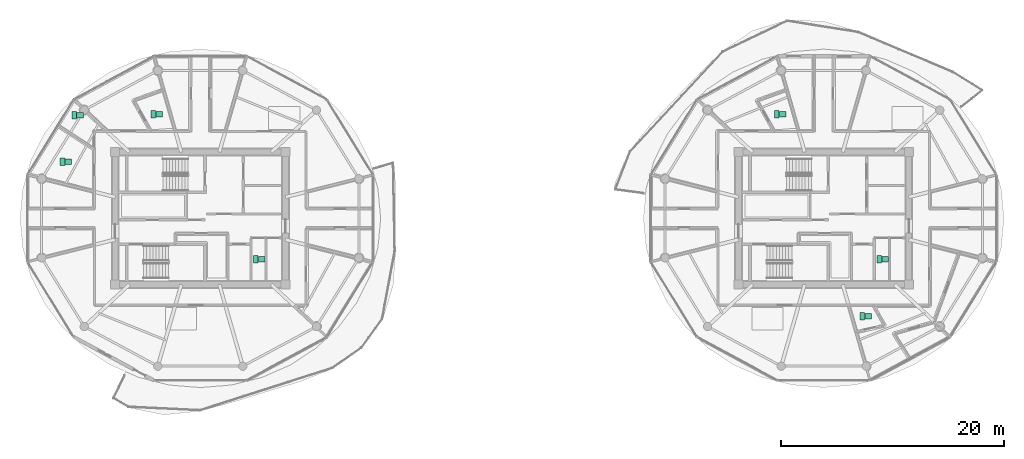
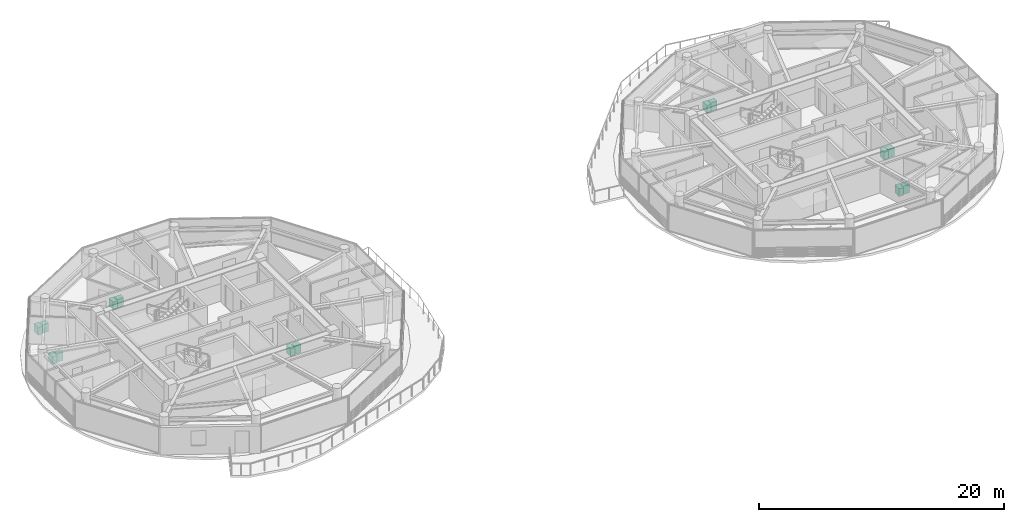
# One storey, part 21 of 21: 14 sanitary terminals.
"""IFC4 building model written with IfcOpenShell, lengths in metres."""

from ifc_helpers import new_model, si_unit, direction, frame, origin, origin_2d, place, context, subcontext, project, spatial, rectangle, extrude, source, transform, mapped, material, type_object, type_shapes, element, save


model = new_model("IFC4")

# Units and contexts
model_context = context("Model", 3, precision=1e-05, world=origin(), true_north=direction((0.0, 1.0)))
body_context = subcontext(model_context, "Body", "Model", "MODEL_VIEW")
ifc_project = project(units=[si_unit("LENGTHUNIT", "METRE"), si_unit("AREAUNIT", "SQUARE_METRE"), si_unit("VOLUMEUNIT", "CUBIC_METRE"), si_unit("PLANEANGLEUNIT", "RADIAN"), si_unit("MASSUNIT", "GRAM", prefix="KILO")], contexts=[model_context])

# Site, building, storey
site_placement = place(None, origin())
site = spatial("IfcSite", under=ifc_project, at=site_placement, CompositionType="ELEMENT")
building_placement = place(site_placement, origin())
building = spatial("IfcBuilding", under=site, at=building_placement, Name="Norrkilde Senior Care Towers", CompositionType="ELEMENT")
storey_placement = place(building_placement, frame((0.0, 0.0, 241.35009765625)))
storey = spatial("IfcBuildingStorey", under=building, at=storey_placement, Name="L75", CompositionType="ELEMENT", Elevation=241.35009765625)

# Sanitary terminals
ifc_material = material(Name="Porcelain Ceramic")
sanitary_terminal_type_1 = type_object("IfcSanitaryTerminalType", Name="Accessible Senior WC Suite", PredefinedType="TOILETPAN", material=ifc_material)
shared_shape_1 = source(origin(), body_context, "Body", "SweptSolid", [
    extrude(rectangle(XDim=0.419921875, YDim=0.679931640625, at=origin_2d()), origin(), (0.0, 0.0, 1.0), 0.780029296875),
])
type_shapes(sanitary_terminal_type_1, [shared_shape_1])
for number, where, z_axis, x_axis, name in (
    (1, (-23.010009765625, -3.675048828125, 0.0), (0.0, 0.0, 1.0), (1.0, 0.0, 0.0), "L75 Accessible WC Pan 0200"),
    (2, (-32.22021484375, 9.33984375, 0.0), (0.0, 0.0, 1.0), (1.0, 0.0, 0.0), "L75 Accessible WC Pan 0201"),
    (3, (-39.333984375, 9.268798828125, 0.0), (0.0, 0.0, 1.0), (1.0, 0.0, 0.0), "L75 Accessible WC Pan 0202"),
    (4, (-40.38671875, 5.09326171875, 0.0), (0.0, 0.0, 1.0), (1.0, 0.0, 0.0), "L75 Accessible WC Pan 0203"),
    (5, (32.989990234375, -3.675048828125, 0.0), (0.0, 0.0, 1.0), (1.0, 0.0, 0.0), "L75 Accessible WC Pan 0204"),
    (6, (23.77978515625, 9.33984375, 0.0), (0.0, 0.0, 1.0), (1.0, 0.0, 0.0), "L75 Accessible WC Pan 0205"),
    (7, (31.4619140625, -8.79931640625, 0.0), (0.0, 0.0, 1.0), (1.0, 0.0, 0.0), "L75 Accessible WC Pan 0206"),
):
    element("IfcSanitaryTerminal", number, at=place(storey_placement, frame(where, z_axis=z_axis, x_axis=x_axis)), inside=storey, type_object=sanitary_terminal_type_1, Name=name, PredefinedType="TOILETPAN", context=body_context, shape_type="MappedRepresentation", body=[
        mapped(shared_shape_1, transform((0.0, 0.0, 0.0), x_axis=(1.0, 0.0, 0.0), y_axis=(0.0, 1.0, 0.0), z_axis=(0.0, 0.0, 1.0), scale=1.0)),
    ])
sanitary_terminal_type_2 = type_object("IfcSanitaryTerminalType", Name="Thermostatic Care Washbasin", PredefinedType="WASHHANDBASIN", material=ifc_material)
shared_shape_2 = source(origin(), body_context, "Body", "SweptSolid", [
    extrude(rectangle(XDim=0.60009765625, YDim=0.5, at=origin_2d()), origin(), (0.0, 0.0, 1.0), 0.820068359375),
])
type_shapes(sanitary_terminal_type_2, [shared_shape_2])
for number, where, z_axis, x_axis, name in (
    (8, (-22.47998046875, -3.675048828125, 0.0), (0.0, 0.0, 1.0), (1.0, 0.0, 0.0), "L75 Accessible Washbasin 0200"),
    (9, (-31.690185546875, 9.33984375, 0.0), (0.0, 0.0, 1.0), (1.0, 0.0, 0.0), "L75 Accessible Washbasin 0201"),
    (10, (-38.803955078125, 9.268798828125, 0.0), (0.0, 0.0, 1.0), (1.0, 0.0, 0.0), "L75 Accessible Washbasin 0202"),
    (11, (-39.856689453125, 5.09326171875, 0.0), (0.0, 0.0, 1.0), (1.0, 0.0, 0.0), "L75 Accessible Washbasin 0203"),
    (12, (33.52001953125, -3.675048828125, 0.0), (0.0, 0.0, 1.0), (1.0, 0.0, 0.0), "L75 Accessible Washbasin 0204"),
    (13, (24.309814453125, 9.33984375, 0.0), (0.0, 0.0, 1.0), (1.0, 0.0, 0.0), "L75 Accessible Washbasin 0205"),
    (14, (31.991943359375, -8.79931640625, 0.0), (0.0, 0.0, 1.0), (1.0, 0.0, 0.0), "L75 Accessible Washbasin 0206"),
):
    element("IfcSanitaryTerminal", number, at=place(storey_placement, frame(where, z_axis=z_axis, x_axis=x_axis)), inside=storey, type_object=sanitary_terminal_type_2, Name=name, PredefinedType="WASHHANDBASIN", context=body_context, shape_type="MappedRepresentation", body=[
        mapped(shared_shape_2, transform((0.0, 0.0, 0.0), x_axis=(1.0, 0.0, 0.0), y_axis=(0.0, 1.0, 0.0), z_axis=(0.0, 0.0, 1.0), scale=1.0)),
    ])

save(model, "model.ifc")
